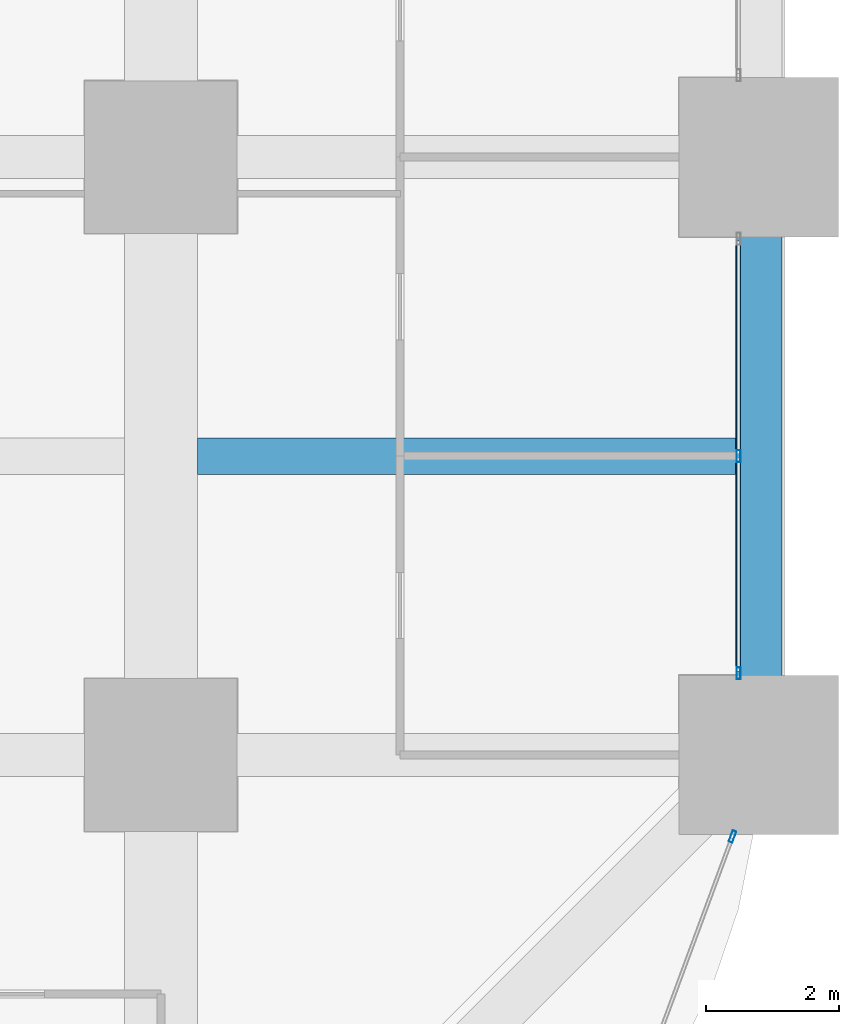
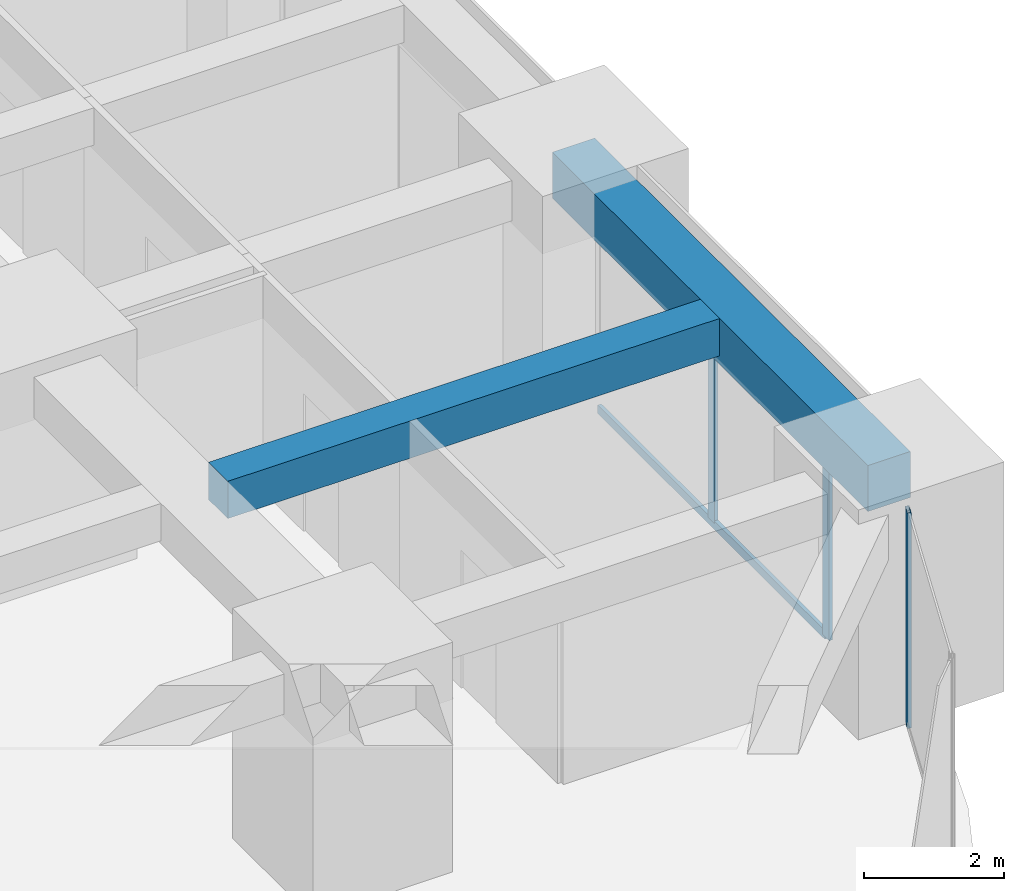
# One storey, part 18 of 45: 4 members, 2 beams, 2 elements without a shape of their own.
"""IFC4 building model written with IfcOpenShell, lengths in metres."""

from ifc_helpers import new_model, si_unit, direction, frame, origin, origin_2d, place, context, subcontext, project, spatial, rectangle, hollow_rectangle, extrude, material, material_profile, profile_set, type_object, element, aggregate, save


model = new_model("IFC4")

# Units and contexts
model_context = context("Model", 3, precision=1e-05, world=origin(), true_north=direction((0.0, 1.0)))
body_context = subcontext(model_context, "Body", "Model", "MODEL_VIEW")
ifc_project = project(units=[si_unit("LENGTHUNIT", "METRE"), si_unit("AREAUNIT", "SQUARE_METRE"), si_unit("VOLUMEUNIT", "CUBIC_METRE"), si_unit("PLANEANGLEUNIT", "RADIAN"), si_unit("MASSUNIT", "GRAM", prefix="KILO")], contexts=[model_context])

# Site, building, storey
site_placement = place(None, origin())
site = spatial("IfcSite", under=ifc_project, at=site_placement, CompositionType="ELEMENT")
building_placement = place(site_placement, origin())
building = spatial("IfcBuilding", under=site, at=building_placement, Name="Zorevar Civic Tower", CompositionType="ELEMENT")
storey_placement = place(building_placement, frame((0.0, 0.0, 27.800048828125)))
storey = spatial("IfcBuildingStorey", under=building, at=storey_placement, Name="L06", CompositionType="ELEMENT", Elevation=27.800048828125)

# Beam
ifc_material_1 = material(Name="Concrete C50/60", Category="concrete")
ifc_material_profile_1 = material_profile(ifc_material_1, rectangle(XDim=0.550048828125, YDim=0.64990234375, at=origin_2d()), Name="RC 550x650")
ifc_profile_set_1 = profile_set([ifc_material_profile_1], Name="Concrete C50/60")
beam_type_1 = type_object("IfcBeamType", Name="Beam RC 550x650", PredefinedType="BEAM", material=ifc_profile_set_1)
beam_1_placement = place(storey_placement, frame((54.550048828125, 13.5, 3.425048828125), z_axis=(1.0, 0.0, 0.0), x_axis=(0.0, 1.0, 0.0)))
element("IfcBeam", 1, at=beam_1_placement, inside=storey, type_object=beam_type_1, Name="Secondary beam L07", PredefinedType="BEAM", context=body_context, shape_type="SweptSolid", body=[
    extrude(rectangle(XDim=0.550048828125, YDim=0.64990234375, at=origin_2d()), origin(), (0.0, 0.0, 1.0), 8.099853515625),
])

# Curtain wall, members
ifc_material_2 = material(Name="Dark grey solar-control glass in black aluminium frame", Category="aluminium")
curtain_wall_type = type_object("IfcCurtainWallType", Name="Curtain wall CW2 low zone", PredefinedType="NOTDEFINED", material=ifc_material_2)
curtain_wall_1_placement = place(storey_placement, origin())
curtain_wall_1 = element("IfcCurtainWall", 2, at=curtain_wall_1_placement, inside=storey, type_object=curtain_wall_type, Name="CW2 L06", PredefinedType="NOTDEFINED")
ifc_material_3 = material(Name="Aluminium, black anodised", Category="aluminium")
ifc_material_profile_2 = material_profile(ifc_material_3, hollow_rectangle(XDim=0.06005859375, YDim=0.179931640625, WallThickness=0.00390625, at=origin_2d()), Name="AL 180x60x4")
ifc_profile_set_2 = profile_set([ifc_material_profile_2], Name="Aluminium, black anodised")
member_type_1 = type_object("IfcMemberType", Name="CW2 mullion AL 180x60x4", PredefinedType="MULLION", material=ifc_profile_set_2)
member_1_placement = place(storey_placement, frame((62.699951171875, 10.22998046875, 0.0), z_axis=(0.0, 0.0, 1.0), x_axis=(-1.0, 0.0, 0.0)))
member_1 = element("IfcMember", 3, at=member_1_placement, type_object=member_type_1, Name="CW2 mullion 1", PredefinedType="MULLION", context=body_context, shape_type="SweptSolid", body=[
    extrude(hollow_rectangle(XDim=0.06005859375, YDim=0.179931640625, WallThickness=0.00390625, at=origin_2d()), origin(), (0.0, 0.0, 1.0), 2.949951171875),
])
member_2_placement = place(storey_placement, frame((62.699951171875, 13.5, 0.06005859375), z_axis=(0.0, 0.0, 1.0), x_axis=(-1.0, 0.0, 0.0)))
member_2 = element("IfcMember", 4, at=member_2_placement, type_object=member_type_1, Name="CW2 mullion 2", PredefinedType="MULLION", context=body_context, shape_type="SweptSolid", body=[
    extrude(hollow_rectangle(XDim=0.06005859375, YDim=0.179931640625, WallThickness=0.00390625, at=origin_2d()), origin(), (0.0, 0.0, 1.0), 2.889892578125),
])

# Curtain wall, member
curtain_wall_2_placement = place(storey_placement, origin())
curtain_wall_2 = element("IfcCurtainWall", 5, at=curtain_wall_2_placement, inside=storey, type_object=curtain_wall_type, Name="CW2 L06", PredefinedType="NOTDEFINED")
member_3_placement = place(storey_placement, frame((62.6064453125, 7.77197265625, 0.0), z_axis=(0.0, 0.0, 1.0), x_axis=(-0.937974588163, 0.346704012033, 0.0)))
member_3 = element("IfcMember", 6, at=member_3_placement, type_object=member_type_1, Name="CW2 mullion 2", PredefinedType="MULLION", context=body_context, shape_type="SweptSolid", body=[
    extrude(hollow_rectangle(XDim=0.06005859375, YDim=0.179931640625, WallThickness=0.00390625, at=origin_2d()), origin(), (0.0, 0.0, 1.0), 3.75),
])
aggregate(curtain_wall_2, [member_3])

# Member
ifc_material_4 = material(Name="Aluminium, black anodised", Category="aluminium")
ifc_material_profile_3 = material_profile(ifc_material_4, hollow_rectangle(XDim=0.06005859375, YDim=0.14990234375, WallThickness=0.00390625, at=origin_2d()), Name="AL 150x60x4")
ifc_profile_set_3 = profile_set([ifc_material_profile_3], Name="Aluminium, black anodised")
member_type_2 = type_object("IfcMemberType", Name="CW2 transom AL 150x60x4", PredefinedType="USERDEFINED", material=ifc_profile_set_3)
member_4_placement = place(storey_placement, frame((62.699951171875, 10.260009765625, 0.030029296875), z_axis=(0.0, 1.0, 0.0), x_axis=(-1.0, 0.0, 0.0)))
member_4 = element("IfcMember", 7, at=member_4_placement, type_object=member_type_2, Name="CW2 sill transom", ObjectType="TRANSOM", PredefinedType="USERDEFINED", context=body_context, shape_type="SweptSolid", body=[
    extrude(hollow_rectangle(XDim=0.06005859375, YDim=0.14990234375, WallThickness=0.00390625, at=origin_2d()), origin(), (0.0, 0.0, 1.0), 6.47998046875),
])

aggregate(curtain_wall_1, [member_1, member_2, member_4])

# Beam
ifc_material_5 = material(Name="Concrete C50/60", Category="concrete")
ifc_material_profile_4 = material_profile(ifc_material_5, rectangle(XDim=0.699951171875, YDim=0.800048828125, at=origin_2d()), Name="RC 700x800")
ifc_profile_set_4 = profile_set([ifc_material_profile_4], Name="Concrete C50/60")
beam_type_2 = type_object("IfcBeamType", Name="Edge beam RC 700x800", PredefinedType="SPANDREL", material=ifc_profile_set_4)
beam_2_placement = place(storey_placement, frame((63.0, 9.0, 3.349853515625), z_axis=(0.0, 1.0, 0.0), x_axis=(-1.0, 0.0, 0.0)))
element("IfcBeam", 8, at=beam_2_placement, inside=storey, type_object=beam_type_2, Name="Edge beam L07", PredefinedType="SPANDREL", context=body_context, shape_type="SweptSolid", body=[
    extrude(rectangle(XDim=0.699951171875, YDim=0.800048828125, at=origin_2d()), origin(), (0.0, 0.0, 1.0), 9.0),
])

save(model, "model.ifc")
